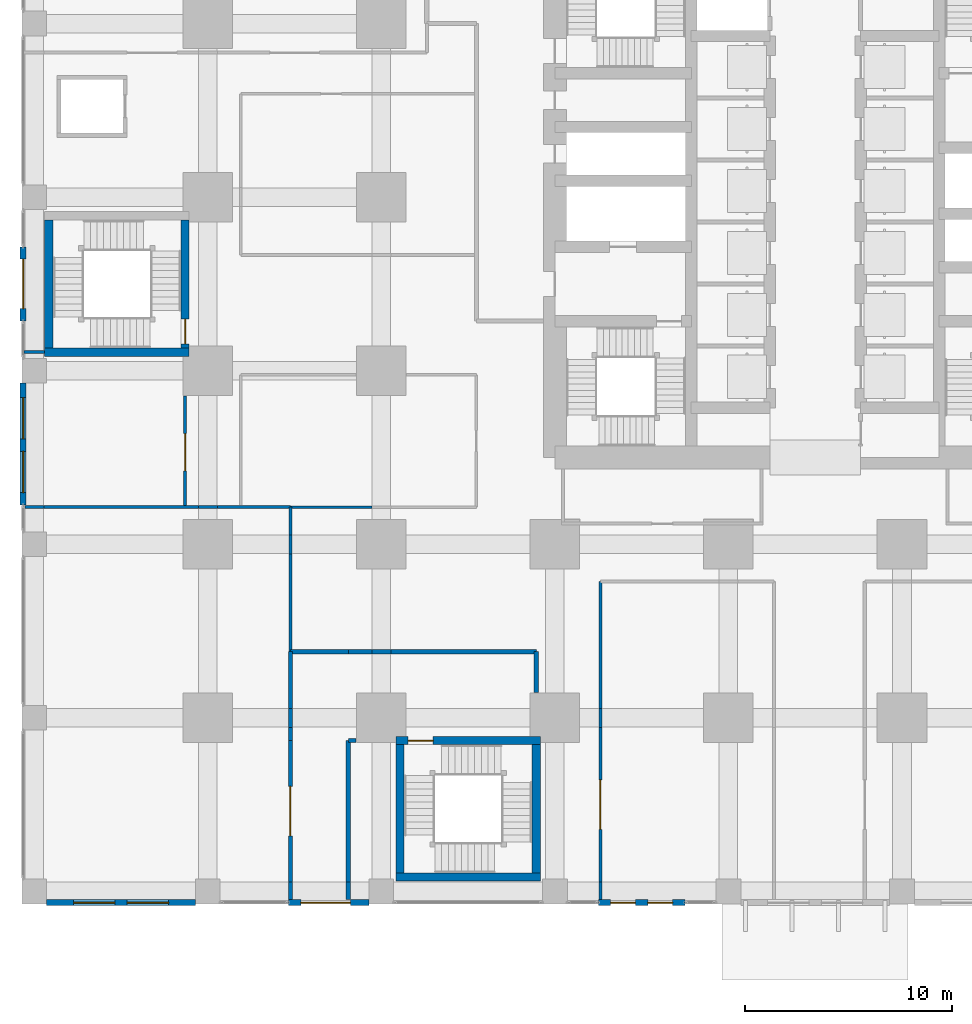
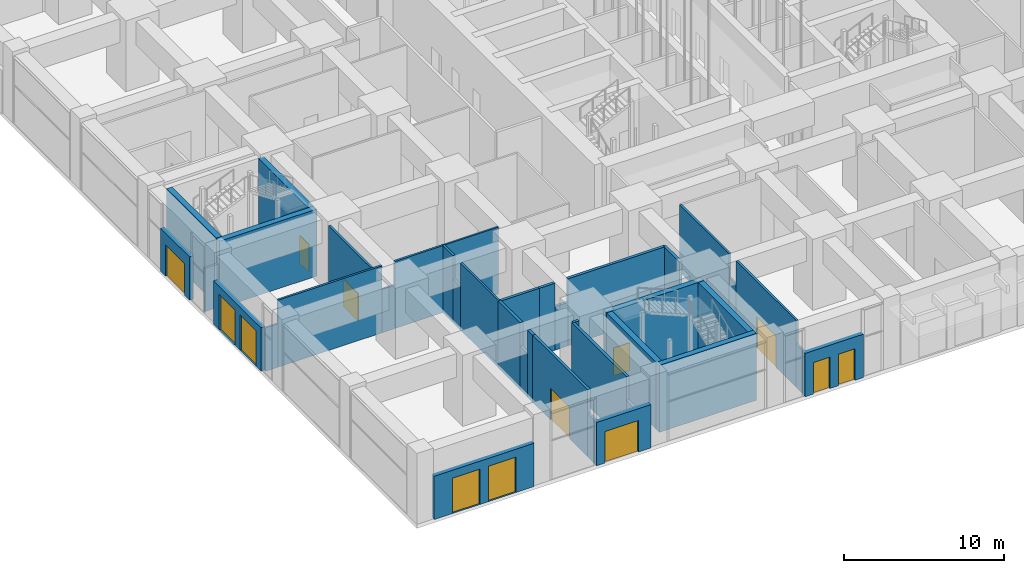
# One storey, part 37 of 81: 39 walls, 13 doors, 13 openings.
"""IFC4 building model written with IfcOpenShell, lengths in metres."""

from ifc_helpers import new_model, si_unit, direction, frame, frame_2d, origin, place, context, subcontext, project, spatial, rectangle, extrude, material, layer, layer_set, type_object, element, fill, save


model = new_model("IFC4")

# Units and contexts
model_context = context("Model", 3, precision=1e-05, world=origin(), true_north=direction((0.0, 1.0)))
body_context = subcontext(model_context, "Body", "Model", "MODEL_VIEW")
ifc_project = project(units=[si_unit("LENGTHUNIT", "METRE"), si_unit("AREAUNIT", "SQUARE_METRE"), si_unit("VOLUMEUNIT", "CUBIC_METRE"), si_unit("PLANEANGLEUNIT", "RADIAN"), si_unit("MASSUNIT", "GRAM", prefix="KILO")], contexts=[model_context])

# Site, building, storey
site_placement = place(None, origin())
site = spatial("IfcSite", under=ifc_project, at=site_placement, CompositionType="ELEMENT")
building_placement = place(site_placement, origin())
building = spatial("IfcBuilding", under=site, at=building_placement, Name="Rekha Terrace Tower", CompositionType="ELEMENT")
storey_placement = place(building_placement, origin())
storey = spatial("IfcBuildingStorey", under=building, at=storey_placement, Name="L00", CompositionType="ELEMENT", Elevation=0.0)

# Wall, openings, doors
ifc_material_1 = material(Name="Concrete M40", Category="concrete")
ifc_layer_1 = layer(ifc_material_1, 0.300048828125)
ifc_layer_set_1 = layer_set([ifc_layer_1], Name="Concrete M40")
wall_type_1 = type_object("IfcWallType", Name="EW2 glazed entrance screen wall 300", PredefinedType="SOLIDWALL", material=ifc_layer_set_1)
wall_1_placement = place(storey_placement, frame((7.799072265625, -0.5400390625, 0.0), z_axis=(0.0, 0.0, 1.0), x_axis=(-1.0, 0.0, 0.0)))
wall_1 = element("IfcWall", 1, at=wall_1_placement, inside=storey, type_object=wall_type_1, Name="Entrance screen wall", PredefinedType="SOLIDWALL", context=body_context, shape_type="SweptSolid", body=[
    extrude(rectangle(XDim=7.197998046875, YDim=0.300048828125, at=frame_2d((3.59912109375, 0.0))), origin(), (0.0, 0.0, 1.0), 3.300048828125),
])
opening_1_placement = place(wall_1_placement, frame((3.89892578125, 0.0, 0.0)))
opening_1 = element("IfcOpeningElement", 2, at=opening_1_placement, cuts=wall_1, Name="Opening ED1", PredefinedType="OPENING", context=body_context, shape_type="SweptSolid", body=[
    extrude(rectangle(XDim=2.0, YDim=2.699951171875, at=frame_2d((1.0, 1.35009765625))), frame((0.0, 0.159912109375, 0.0), z_axis=(0.0, -1.0, 0.0), x_axis=(1.0, 0.0, 0.0)), (0.0, 0.0, 1.0), 0.320068359375),
])
opening_2_placement = place(wall_1_placement, frame((1.299072265625, 0.0, 0.0)))
opening_2 = element("IfcOpeningElement", 3, at=opening_2_placement, cuts=wall_1, Name="Opening ED1", PredefinedType="OPENING", context=body_context, shape_type="SweptSolid", body=[
    extrude(rectangle(XDim=2.0, YDim=2.699951171875, at=frame_2d((1.0, 1.35009765625))), frame((0.0, 0.159912109375, 0.0), z_axis=(0.0, -1.0, 0.0), x_axis=(1.0, 0.0, 0.0)), (0.0, 0.0, 1.0), 0.320068359375),
])
ifc_material_2 = material(Name="Aluminium framed laminated glass door", Category="aluminium")
door_type_1 = type_object("IfcDoorType", Name="ED1 glazed double entrance door 2000 x 2700", OperationType="DOUBLE_DOOR_SINGLE_SWING", PredefinedType="DOOR", material=ifc_material_2)
door_1_placement = place(opening_1_placement, origin())
door_1 = element("IfcDoor", 4, at=door_1_placement, inside=storey, type_object=door_type_1, Name="Entrance door", OperationType="DOUBLE_DOOR_SINGLE_SWING", OverallHeight=2.699951171875, OverallWidth=2.0, PredefinedType="DOOR", context=body_context, shape_type="SweptSolid", body=[
    extrude(rectangle(XDim=2.0, YDim=2.699951171875, at=frame_2d((1.0, 1.35009765625))), frame((0.0, 0.02490234375, 0.0), z_axis=(0.0, -1.0, 0.0), x_axis=(1.0, 0.0, 0.0)), (0.0, 0.0, 1.0), 0.050048828125),
])
fill(opening_1, door_1)
door_2_placement = place(opening_2_placement, origin())
door_2 = element("IfcDoor", 5, at=door_2_placement, inside=storey, type_object=door_type_1, Name="Entrance door", OperationType="DOUBLE_DOOR_SINGLE_SWING", OverallHeight=2.699951171875, OverallWidth=2.0, PredefinedType="DOOR", context=body_context, shape_type="SweptSolid", body=[
    extrude(rectangle(XDim=2.0, YDim=2.699951171875, at=frame_2d((1.0, 1.35009765625))), frame((0.0, 0.02490234375, 0.0), z_axis=(0.0, -1.0, 0.0), x_axis=(1.0, 0.0, 0.0)), (0.0, 0.0, 1.0), 0.050048828125),
])
fill(opening_2, door_2)

# Wall, opening, door
wall_2_placement = place(storey_placement, frame((16.198974609375, -0.5400390625, 0.0), z_axis=(0.0, 0.0, 1.0), x_axis=(-1.0, 0.0, 0.0)))
wall_2 = element("IfcWall", 6, at=wall_2_placement, inside=storey, type_object=wall_type_1, Name="Entrance screen wall", PredefinedType="SOLIDWALL", context=body_context, shape_type="SweptSolid", body=[
    extrude(rectangle(XDim=3.89892578125, YDim=0.300048828125, at=frame_2d((1.949462890625, 0.0))), origin(), (0.0, 0.0, 1.0), 3.300048828125),
])
opening_3_placement = place(wall_2_placement, frame((0.89892578125, 0.0, 0.0)))
opening_3 = element("IfcOpeningElement", 7, at=opening_3_placement, cuts=wall_2, Name="Opening ED2", PredefinedType="OPENING", context=body_context, shape_type="SweptSolid", body=[
    extrude(rectangle(XDim=2.39990234375, YDim=2.39990234375, at=frame_2d((1.199951171875, 1.199951171875))), frame((0.0, 0.159912109375, 0.0), z_axis=(0.0, -1.0, 0.0), x_axis=(1.0, 0.0, 0.0)), (0.0, 0.0, 1.0), 0.320068359375),
])
ifc_material_3 = material(Name="Galvanised steel door", Category="steel")
door_type_2 = type_object("IfcDoorType", Name="ED2 steel double exit door 2400 x 2400", OperationType="DOUBLE_DOOR_SINGLE_SWING", PredefinedType="DOOR", material=ifc_material_3)
door_3_placement = place(opening_3_placement, origin())
door_3 = element("IfcDoor", 8, at=door_3_placement, inside=storey, type_object=door_type_2, Name="Exit discharge door", OperationType="DOUBLE_DOOR_SINGLE_SWING", OverallHeight=2.39990234375, OverallWidth=2.39990234375, PredefinedType="DOOR", context=body_context, shape_type="SweptSolid", body=[
    extrude(rectangle(XDim=2.39990234375, YDim=2.39990234375, at=frame_2d((1.199951171875, 1.199951171875))), frame((0.0, 0.02490234375, 0.0), z_axis=(0.0, -1.0, 0.0), x_axis=(1.0, 0.0, 0.0)), (0.0, 0.0, 1.0), 0.050048828125),
])
fill(opening_3, door_3)

# Wall, openings, doors
wall_3_placement = place(storey_placement, frame((31.5, -0.5400390625, 0.0), z_axis=(0.0, 0.0, 1.0), x_axis=(-1.0, 0.0, 0.0)))
wall_3 = element("IfcWall", 9, at=wall_3_placement, inside=storey, type_object=wall_type_1, Name="Entrance screen wall", PredefinedType="SOLIDWALL", context=body_context, shape_type="SweptSolid", body=[
    extrude(rectangle(XDim=4.199951171875, YDim=0.300048828125, at=frame_2d((2.10009765625, 0.0))), origin(), (0.0, 0.0, 1.0), 3.300048828125),
])
opening_4_placement = place(wall_3_placement, frame((2.39990234375, 0.0, 0.0)))
opening_4 = element("IfcOpeningElement", 10, at=opening_4_placement, cuts=wall_3, Name="Opening ED3", PredefinedType="OPENING", context=body_context, shape_type="SweptSolid", body=[
    extrude(rectangle(XDim=1.199951171875, YDim=2.39990234375, at=frame_2d((0.60009765625, 1.199951171875))), frame((0.0, 0.159912109375, 0.0), z_axis=(0.0, -1.0, 0.0), x_axis=(1.0, 0.0, 0.0)), (0.0, 0.0, 1.0), 0.320068359375),
])
opening_5_placement = place(wall_3_placement, frame((0.60009765625, 0.0, 0.0)))
opening_5 = element("IfcOpeningElement", 11, at=opening_5_placement, cuts=wall_3, Name="Opening ED3", PredefinedType="OPENING", context=body_context, shape_type="SweptSolid", body=[
    extrude(rectangle(XDim=1.199951171875, YDim=2.39990234375, at=frame_2d((0.60009765625, 1.199951171875))), frame((0.0, 0.159912109375, 0.0), z_axis=(0.0, -1.0, 0.0), x_axis=(1.0, 0.0, 0.0)), (0.0, 0.0, 1.0), 0.320068359375),
])
door_type_3 = type_object("IfcDoorType", Name="ED3 steel exit door 1200 x 2400", OperationType="SINGLE_SWING_LEFT", PredefinedType="DOOR", material=ifc_material_3)
door_4_placement = place(opening_4_placement, origin())
door_4 = element("IfcDoor", 12, at=door_4_placement, inside=storey, type_object=door_type_3, Name="Exit door", OperationType="SINGLE_SWING_LEFT", OverallHeight=2.39990234375, OverallWidth=1.199951171875, PredefinedType="DOOR", context=body_context, shape_type="SweptSolid", body=[
    extrude(rectangle(XDim=1.199951171875, YDim=2.39990234375, at=frame_2d((0.60009765625, 1.199951171875))), frame((0.0, 0.02490234375, 0.0), z_axis=(0.0, -1.0, 0.0), x_axis=(1.0, 0.0, 0.0)), (0.0, 0.0, 1.0), 0.050048828125),
])
fill(opening_4, door_4)
door_5_placement = place(opening_5_placement, origin())
door_5 = element("IfcDoor", 13, at=door_5_placement, inside=storey, type_object=door_type_3, Name="Exit door", OperationType="SINGLE_SWING_LEFT", OverallHeight=2.39990234375, OverallWidth=1.199951171875, PredefinedType="DOOR", context=body_context, shape_type="SweptSolid", body=[
    extrude(rectangle(XDim=1.199951171875, YDim=2.39990234375, at=frame_2d((0.60009765625, 1.199951171875))), frame((0.0, 0.02490234375, 0.0), z_axis=(0.0, -1.0, 0.0), x_axis=(1.0, 0.0, 0.0)), (0.0, 0.0, 1.0), 0.050048828125),
])
fill(opening_5, door_5)

# Wall, opening, door
wall_4_placement = place(storey_placement, frame((-0.5400390625, 27.60009765625, 0.0), z_axis=(0.0, 0.0, 1.0), x_axis=(0.0, 1.0, 0.0)))
wall_4 = element("IfcWall", 14, at=wall_4_placement, inside=storey, type_object=wall_type_1, Name="Entrance screen wall", PredefinedType="SOLIDWALL", context=body_context, shape_type="SweptSolid", body=[
    extrude(rectangle(XDim=3.599853515625, YDim=0.300048828125, at=frame_2d((1.7998046875, 0.0))), origin(), (0.0, 0.0, 1.0), 3.300048828125),
])
opening_6_placement = place(wall_4_placement, frame((0.60009765625, 0.0, 0.0)))
opening_6 = element("IfcOpeningElement", 15, at=opening_6_placement, cuts=wall_4, Name="Opening ED2", PredefinedType="OPENING", context=body_context, shape_type="SweptSolid", body=[
    extrude(rectangle(XDim=2.39990234375, YDim=2.39990234375, at=frame_2d((1.199951171875, 1.199951171875))), frame((0.0, 0.159912109375, 0.0), z_axis=(0.0, -1.0, 0.0), x_axis=(1.0, 0.0, 0.0)), (0.0, 0.0, 1.0), 0.320068359375),
])
door_6_placement = place(opening_6_placement, origin())
door_6 = element("IfcDoor", 16, at=door_6_placement, inside=storey, type_object=door_type_2, Name="Exit discharge door", OperationType="DOUBLE_DOOR_SINGLE_SWING", OverallHeight=2.39990234375, OverallWidth=2.39990234375, PredefinedType="DOOR", context=body_context, shape_type="SweptSolid", body=[
    extrude(rectangle(XDim=2.39990234375, YDim=2.39990234375, at=frame_2d((1.199951171875, 1.199951171875))), frame((0.0, 0.02490234375, 0.0), z_axis=(0.0, -1.0, 0.0), x_axis=(1.0, 0.0, 0.0)), (0.0, 0.0, 1.0), 0.050048828125),
])
fill(opening_6, door_6)

# Wall, openings, doors
wall_5_placement = place(storey_placement, frame((-0.5400390625, 18.699951171875, 0.0), z_axis=(0.0, 0.0, 1.0), x_axis=(0.0, 1.0, 0.0)))
wall_5 = element("IfcWall", 17, at=wall_5_placement, inside=storey, type_object=wall_type_1, Name="Entrance screen wall", PredefinedType="SOLIDWALL", context=body_context, shape_type="SweptSolid", body=[
    extrude(rectangle(XDim=5.899169921875, YDim=0.300048828125, at=frame_2d((2.94970703125, 0.0))), origin(), (0.0, 0.0, 1.0), 3.300048828125),
])
opening_7_placement = place(wall_5_placement, frame((3.199951171875, 0.0, 0.0)))
opening_7 = element("IfcOpeningElement", 18, at=opening_7_placement, cuts=wall_5, Name="Opening ED1", PredefinedType="OPENING", context=body_context, shape_type="SweptSolid", body=[
    extrude(rectangle(XDim=2.0, YDim=2.699951171875, at=frame_2d((1.0, 1.35009765625))), frame((0.0, 0.159912109375, 0.0), z_axis=(0.0, -1.0, 0.0), x_axis=(1.0, 0.0, 0.0)), (0.0, 0.0, 1.0), 0.320068359375),
])
opening_8_placement = place(wall_5_placement, frame((0.60009765625, 0.0, 0.0)))
opening_8 = element("IfcOpeningElement", 19, at=opening_8_placement, cuts=wall_5, Name="Opening ED1", PredefinedType="OPENING", context=body_context, shape_type="SweptSolid", body=[
    extrude(rectangle(XDim=2.0, YDim=2.699951171875, at=frame_2d((1.0, 1.35009765625))), frame((0.0, 0.159912109375, 0.0), z_axis=(0.0, -1.0, 0.0), x_axis=(1.0, 0.0, 0.0)), (0.0, 0.0, 1.0), 0.320068359375),
])
door_7_placement = place(opening_7_placement, origin())
door_7 = element("IfcDoor", 20, at=door_7_placement, inside=storey, type_object=door_type_1, Name="Entrance door", OperationType="DOUBLE_DOOR_SINGLE_SWING", OverallHeight=2.699951171875, OverallWidth=2.0, PredefinedType="DOOR", context=body_context, shape_type="SweptSolid", body=[
    extrude(rectangle(XDim=2.0, YDim=2.699951171875, at=frame_2d((1.0, 1.35009765625))), frame((0.0, 0.02490234375, 0.0), z_axis=(0.0, -1.0, 0.0), x_axis=(1.0, 0.0, 0.0)), (0.0, 0.0, 1.0), 0.050048828125),
])
fill(opening_7, door_7)
door_8_placement = place(opening_8_placement, origin())
door_8 = element("IfcDoor", 21, at=door_8_placement, inside=storey, type_object=door_type_1, Name="Entrance door", OperationType="DOUBLE_DOOR_SINGLE_SWING", OverallHeight=2.699951171875, OverallWidth=2.0, PredefinedType="DOOR", context=body_context, shape_type="SweptSolid", body=[
    extrude(rectangle(XDim=2.0, YDim=2.699951171875, at=frame_2d((1.0, 1.35009765625))), frame((0.0, 0.02490234375, 0.0), z_axis=(0.0, -1.0, 0.0), x_axis=(1.0, 0.0, 0.0)), (0.0, 0.0, 1.0), 0.050048828125),
])
fill(opening_8, door_8)

# Walls
ifc_material_4 = material(Name="Concrete block masonry, 1 hour", Category="masonry")
ifc_layer_2 = layer(ifc_material_4, 0.14990234375)
ifc_layer_set_2 = layer_set([ifc_layer_2], Name="Concrete block masonry, 1 hour")
wall_type_2 = type_object("IfcWallType", Name="WP2 150 tenancy partition", PredefinedType="PARTITIONING", material=ifc_layer_set_2)
wall_6_placement = place(storey_placement, frame((-0.449951171875, 18.60009765625, 0.0), z_axis=(0.0, 0.0, 1.0), x_axis=(1.0, 0.0, 0.0)))
element("IfcWall", 22, at=wall_6_placement, inside=storey, type_object=wall_type_2, Name="Partition L00-06", PredefinedType="PARTITIONING", context=body_context, shape_type="SweptSolid", body=[
    extrude(rectangle(XDim=0.909912109375, YDim=0.14990234375, at=frame_2d((0.455078125, 0.0))), origin(), (0.0, 0.0, 1.0), 3.300048828125),
])
wall_7_placement = place(storey_placement, frame((0.4599609375, 18.60009765625, 0.0), z_axis=(0.0, 0.0, 1.0), x_axis=(1.0, 0.0, 0.0)))
element("IfcWall", 23, at=wall_7_placement, inside=storey, type_object=wall_type_2, Name="Partition L00-06", PredefinedType="PARTITIONING", context=body_context, shape_type="SweptSolid", body=[
    extrude(rectangle(XDim=7.47998046875, YDim=0.14990234375, at=frame_2d((3.739990234375, 0.0))), origin(), (0.0, 0.0, 1.0), 5.10009765625),
])
wall_8_placement = place(storey_placement, frame((7.93994140625, 18.60009765625, 0.0), z_axis=(0.0, 0.0, 1.0), x_axis=(1.0, 0.0, 0.0)))
element("IfcWall", 24, at=wall_8_placement, inside=storey, type_object=wall_type_2, Name="Partition L00-06", PredefinedType="PARTITIONING", context=body_context, shape_type="SweptSolid", body=[
    extrude(rectangle(XDim=0.920166015625, YDim=0.14990234375, at=frame_2d((0.4599609375, 0.0))), origin(), (0.0, 0.0, 1.0), 3.300048828125),
])
wall_9_placement = place(storey_placement, frame((8.860107421875, 18.60009765625, 0.0), z_axis=(0.0, 0.0, 1.0), x_axis=(1.0, 0.0, 0.0)))
element("IfcWall", 25, at=wall_9_placement, inside=storey, type_object=wall_type_2, Name="Partition L00-06", PredefinedType="PARTITIONING", context=body_context, shape_type="SweptSolid", body=[
    extrude(rectangle(XDim=3.539794921875, YDim=0.14990234375, at=frame_2d((1.77001953125, 0.0))), origin(), (0.0, 0.0, 1.0), 5.10009765625),
])
wall_10_placement = place(storey_placement, frame((12.39990234375, 18.60009765625, 0.0), z_axis=(0.0, 0.0, 1.0), x_axis=(0.0, -1.0, 0.0)))
element("IfcWall", 26, at=wall_10_placement, inside=storey, type_object=wall_type_2, Name="Partition L00-06", PredefinedType="PARTITIONING", context=body_context, shape_type="SweptSolid", body=[
    extrude(rectangle(XDim=1.340087890625, YDim=0.14990234375, at=frame_2d((0.669921875, 0.0))), origin(), (0.0, 0.0, 1.0), 5.10009765625),
])
wall_11_placement = place(storey_placement, frame((12.39990234375, 17.260009765625, 0.0), z_axis=(0.0, 0.0, 1.0), x_axis=(0.0, -1.0, 0.0)))
element("IfcWall", 27, at=wall_11_placement, inside=storey, type_object=wall_type_2, Name="Partition L00-06", PredefinedType="PARTITIONING", context=body_context, shape_type="SweptSolid", body=[
    extrude(rectangle(XDim=0.919921875, YDim=0.14990234375, at=frame_2d((0.4599609375, 0.0))), origin(), (0.0, 0.0, 1.0), 3.300048828125),
])
wall_12_placement = place(storey_placement, frame((12.39990234375, 16.340087890625, 0.0), z_axis=(0.0, 0.0, 1.0), x_axis=(0.0, -1.0, 0.0)))
element("IfcWall", 28, at=wall_12_placement, inside=storey, type_object=wall_type_2, Name="Partition L00-06", PredefinedType="PARTITIONING", context=body_context, shape_type="SweptSolid", body=[
    extrude(rectangle(XDim=4.739990234375, YDim=0.14990234375, at=frame_2d((2.3701171875, 0.0))), origin(), (0.0, 0.0, 1.0), 5.10009765625),
])
wall_13_placement = place(storey_placement, frame((27.39990234375, -0.389892578125, 0.0), z_axis=(0.0, 0.0, 1.0), x_axis=(0.0, 1.0, 0.0)))
element("IfcWall", 29, at=wall_13_placement, inside=storey, type_object=wall_type_2, Name="Partition L00-12", PredefinedType="PARTITIONING", context=body_context, shape_type="SweptSolid", body=[
    extrude(rectangle(XDim=0.849853515625, YDim=0.14990234375, at=frame_2d((0.4248046875, 0.0))), origin(), (0.0, 0.0, 1.0), 3.300048828125),
])

# Wall, opening, door
wall_14_placement = place(storey_placement, frame((27.39990234375, 0.4599609375, 0.0), z_axis=(0.0, 0.0, 1.0), x_axis=(0.0, 1.0, 0.0)))
wall_14 = element("IfcWall", 30, at=wall_14_placement, inside=storey, type_object=wall_type_2, Name="Partition L00-12", PredefinedType="PARTITIONING", context=body_context, shape_type="SweptSolid", body=[
    extrude(rectangle(XDim=7.47998046875, YDim=0.14990234375, at=frame_2d((3.739990234375, 0.0))), origin(), (0.0, 0.0, 1.0), 5.10009765625),
])
opening_9_placement = place(wall_14_placement, frame((2.5400390625, 0.0, 0.0)))
opening_9 = element("IfcOpeningElement", 31, at=opening_9_placement, cuts=wall_14, Name="Opening D7", PredefinedType="OPENING", context=body_context, shape_type="SweptSolid", body=[
    extrude(rectangle(XDim=2.39990234375, YDim=2.39990234375, at=frame_2d((1.199951171875, 1.199951171875))), frame((0.0, 0.0849609375, 0.0), z_axis=(0.0, -1.0, 0.0), x_axis=(1.0, 0.0, 0.0)), (0.0, 0.0, 1.0), 0.169921875),
])
ifc_material_5 = material(Name="Glazed aluminium door", Category="aluminium")
door_type_4 = type_object("IfcDoorType", Name="D7 2400x2400 shopfront double door", OperationType="DOUBLE_DOOR_SINGLE_SWING", PredefinedType="DOOR", material=ifc_material_5)
door_9_placement = place(opening_9_placement, origin())
door_9 = element("IfcDoor", 32, at=door_9_placement, inside=storey, type_object=door_type_4, Name="Door retail unit 18 L00", OperationType="DOUBLE_DOOR_SINGLE_SWING", OverallHeight=2.39990234375, OverallWidth=2.39990234375, PredefinedType="DOOR", context=body_context, shape_type="SweptSolid", body=[
    extrude(rectangle(XDim=2.39990234375, YDim=2.39990234375, at=frame_2d((1.199951171875, 1.199951171875))), frame((0.0, 0.02490234375, 0.0), z_axis=(0.0, -1.0, 0.0), x_axis=(1.0, 0.0, 0.0)), (0.0, 0.0, 1.0), 0.050048828125),
])
fill(opening_9, door_9)

# Walls
wall_15_placement = place(storey_placement, frame((27.39990234375, 7.93994140625, 0.0), z_axis=(0.0, 0.0, 1.0), x_axis=(0.0, 1.0, 0.0)))
element("IfcWall", 33, at=wall_15_placement, inside=storey, type_object=wall_type_2, Name="Partition L00-12", PredefinedType="PARTITIONING", context=body_context, shape_type="SweptSolid", body=[
    extrude(rectangle(XDim=0.920166015625, YDim=0.14990234375, at=frame_2d((0.4599609375, 0.0))), origin(), (0.0, 0.0, 1.0), 3.300048828125),
])
wall_16_placement = place(storey_placement, frame((27.39990234375, 8.860107421875, 0.0), z_axis=(0.0, 0.0, 1.0), x_axis=(0.0, 1.0, 0.0)))
element("IfcWall", 34, at=wall_16_placement, inside=storey, type_object=wall_type_2, Name="Partition L00-12", PredefinedType="PARTITIONING", context=body_context, shape_type="SweptSolid", body=[
    extrude(rectangle(XDim=6.139892578125, YDim=0.14990234375, at=frame_2d((3.06982421875, 0.0))), origin(), (0.0, 0.0, 1.0), 5.10009765625),
])
wall_17_placement = place(storey_placement, frame((-0.489990234375, 26.10009765625, 0.0), z_axis=(0.0, 0.0, 1.0), x_axis=(1.0, 0.0, 0.0)))
element("IfcWall", 35, at=wall_17_placement, inside=storey, type_object=wall_type_2, Name="Partition L00-17", PredefinedType="PARTITIONING", context=body_context, shape_type="SweptSolid", body=[
    extrude(rectangle(XDim=0.989990234375, YDim=0.14990234375, at=frame_2d((0.4951171875, 0.0))), origin(), (0.0, 0.0, 1.0), 3.300048828125),
])

# Wall, opening, door
wall_18_placement = place(storey_placement, frame((7.300048828125, 23.97998046875, 0.0), z_axis=(0.0, 0.0, 1.0), x_axis=(0.0, -1.0, 0.0)))
wall_18 = element("IfcWall", 36, at=wall_18_placement, inside=storey, type_object=wall_type_2, Name="Partition L00-17", PredefinedType="PARTITIONING", context=body_context, shape_type="SweptSolid", body=[
    extrude(rectangle(XDim=5.304931640625, YDim=0.14990234375, at=frame_2d((2.65234375, 0.0))), origin(), (0.0, 0.0, 1.0), 5.10009765625),
])
opening_10_placement = place(wall_18_placement, frame((1.824951171875, 0.0, 0.0)))
opening_10 = element("IfcOpeningElement", 37, at=opening_10_placement, cuts=wall_18, Name="Opening D8", PredefinedType="OPENING", context=body_context, shape_type="SweptSolid", body=[
    extrude(rectangle(XDim=1.800048828125, YDim=2.10009765625, at=frame_2d((0.89990234375, 1.050048828125))), frame((0.0, 0.0849609375, 0.0), z_axis=(0.0, -1.0, 0.0), x_axis=(1.0, 0.0, 0.0)), (0.0, 0.0, 1.0), 0.169921875),
])
ifc_material_6 = material(Name="Timber fire door", Category="wood")
door_type_5 = type_object("IfcDoorType", Name="D8 1800x2100 double leaf door", OperationType="DOUBLE_DOOR_SINGLE_SWING", PredefinedType="DOOR", material=ifc_material_6)
door_10_placement = place(opening_10_placement, origin())
door_10 = element("IfcDoor", 38, at=door_10_placement, inside=storey, type_object=door_type_5, Name="Door metro staff room L00", OperationType="DOUBLE_DOOR_SINGLE_SWING", OverallHeight=2.10009765625, OverallWidth=1.800048828125, PredefinedType="DOOR", context=body_context, shape_type="SweptSolid", body=[
    extrude(rectangle(XDim=1.800048828125, YDim=2.10009765625, at=frame_2d((0.89990234375, 1.050048828125))), frame((0.0, 0.02490234375, 0.0), z_axis=(0.0, -1.0, 0.0), x_axis=(1.0, 0.0, 0.0)), (0.0, 0.0, 1.0), 0.050048828125),
])
fill(opening_10, door_10)

# Walls
ifc_material_7 = material(Name="Two layers of fire-rated gypsum board each side on steel studs, acoustic quilt, 1 hour", Category="steel")
ifc_layer_3 = layer(ifc_material_7, 0.125)
ifc_layer_set_3 = layer_set([ifc_layer_3], Name="Two layers of fire-rated gypsum board each side on steel studs, acoustic quilt, 1 hour")
wall_type_3 = type_object("IfcWallType", Name="WP3 125 office partition", PredefinedType="PARTITIONING", material=ifc_layer_set_3)
wall_19_placement = place(storey_placement, frame((16.340087890625, 18.60009765625, 0.0), z_axis=(0.0, 0.0, 1.0), x_axis=(-1.0, 0.0, 0.0)))
element("IfcWall", 39, at=wall_19_placement, inside=storey, type_object=wall_type_3, Name="Partition L00-08", PredefinedType="PARTITIONING", context=body_context, shape_type="SweptSolid", body=[
    extrude(rectangle(XDim=3.940185546875, YDim=0.125, at=frame_2d((1.97021484375, 0.0))), origin(), (0.0, 0.0, 1.0), 5.10009765625),
])
ifc_material_8 = material(Name="Solid concrete block masonry, 2 hour", Category="masonry")
ifc_layer_4 = layer(ifc_material_8, 0.199951171875)
ifc_layer_set_4 = layer_set([ifc_layer_4], Name="Solid concrete block masonry, 2 hour")
wall_type_4 = type_object("IfcWallType", Name="WS1 200 stair and shaft enclosure", PredefinedType="PARTITIONING", material=ifc_layer_set_4)
wall_20_placement = place(storey_placement, frame((12.39990234375, 7.300048828125, 0.0), z_axis=(0.0, 0.0, 1.0), x_axis=(0.0, 1.0, 0.0)))
element("IfcWall", 40, at=wall_20_placement, inside=storey, type_object=wall_type_4, Name="Partition L00-EP3", PredefinedType="PARTITIONING", context=body_context, shape_type="SweptSolid", body=[
    extrude(rectangle(XDim=0.639892578125, YDim=0.199951171875, at=frame_2d((0.31982421875, 0.0))), origin(), (0.0, 0.0, 1.0), 5.10009765625),
])
wall_21_placement = place(storey_placement, frame((12.39990234375, 7.93994140625, 0.0), z_axis=(0.0, 0.0, 1.0), x_axis=(0.0, 1.0, 0.0)))
element("IfcWall", 41, at=wall_21_placement, inside=storey, type_object=wall_type_4, Name="Partition L00-EP3", PredefinedType="PARTITIONING", context=body_context, shape_type="SweptSolid", body=[
    extrude(rectangle(XDim=0.920166015625, YDim=0.199951171875, at=frame_2d((0.4599609375, 0.0))), origin(), (0.0, 0.0, 1.0), 3.300048828125),
])
wall_22_placement = place(storey_placement, frame((12.39990234375, 8.860107421875, 0.0), z_axis=(0.0, 0.0, 1.0), x_axis=(0.0, 1.0, 0.0)))
element("IfcWall", 42, at=wall_22_placement, inside=storey, type_object=wall_type_4, Name="Partition L00-EP3", PredefinedType="PARTITIONING", context=body_context, shape_type="SweptSolid", body=[
    extrude(rectangle(XDim=2.739990234375, YDim=0.199951171875, at=frame_2d((1.3701171875, 0.0))), origin(), (0.0, 0.0, 1.0), 5.10009765625),
])
wall_23_placement = place(storey_placement, frame((12.39990234375, 11.60009765625, 0.0), z_axis=(0.0, 0.0, 1.0), x_axis=(1.0, 0.0, 0.0)))
element("IfcWall", 43, at=wall_23_placement, inside=storey, type_object=wall_type_4, Name="Partition L00-EP3", PredefinedType="PARTITIONING", context=body_context, shape_type="SweptSolid", body=[
    extrude(rectangle(XDim=2.800048828125, YDim=0.199951171875, at=frame_2d((1.39990234375, 0.0))), origin(), (0.0, 0.0, 1.0), 5.10009765625),
])
wall_24_placement = place(storey_placement, frame((15.199951171875, 11.60009765625, 0.0), z_axis=(0.0, 0.0, 1.0), x_axis=(1.0, 0.0, 0.0)))
element("IfcWall", 44, at=wall_24_placement, inside=storey, type_object=wall_type_4, Name="Partition L00-EP3", PredefinedType="PARTITIONING", context=body_context, shape_type="SweptSolid", body=[
    extrude(rectangle(XDim=1.14013671875, YDim=0.199951171875, at=frame_2d((0.570068359375, 0.0))), origin(), (0.0, 0.0, 1.0), 5.10009765625),
])
wall_25_placement = place(storey_placement, frame((16.340087890625, 11.60009765625, 0.0), z_axis=(0.0, 0.0, 1.0), x_axis=(1.0, 0.0, 0.0)))
element("IfcWall", 45, at=wall_25_placement, inside=storey, type_object=wall_type_4, Name="Partition L00-EP3", PredefinedType="PARTITIONING", context=body_context, shape_type="SweptSolid", body=[
    extrude(rectangle(XDim=0.919921875, YDim=0.199951171875, at=frame_2d((0.4599609375, 0.0))), origin(), (0.0, 0.0, 1.0), 3.300048828125),
])
wall_26_placement = place(storey_placement, frame((17.260009765625, 11.60009765625, 0.0), z_axis=(0.0, 0.0, 1.0), x_axis=(1.0, 0.0, 0.0)))
element("IfcWall", 46, at=wall_26_placement, inside=storey, type_object=wall_type_4, Name="Partition L00-EP3", PredefinedType="PARTITIONING", context=body_context, shape_type="SweptSolid", body=[
    extrude(rectangle(XDim=7.0400390625, YDim=0.199951171875, at=frame_2d((3.52001953125, 0.0))), origin(), (0.0, 0.0, 1.0), 5.10009765625),
])
wall_27_placement = place(storey_placement, frame((24.300048828125, 11.60009765625, 0.0), z_axis=(0.0, 0.0, 1.0), x_axis=(0.0, -1.0, 0.0)))
element("IfcWall", 47, at=wall_27_placement, inside=storey, type_object=wall_type_4, Name="Partition L00-EP3", PredefinedType="PARTITIONING", context=body_context, shape_type="SweptSolid", body=[
    extrude(rectangle(XDim=1.97998046875, YDim=0.199951171875, at=frame_2d((0.989990234375, 0.0))), origin(), (0.0, 0.0, 1.0), 5.10009765625),
])
wall_28_placement = place(storey_placement, frame((15.580078125, 7.300048828125, 0.0), z_axis=(0.0, 0.0, 1.0), x_axis=(-1.0, 0.0, 0.0)))
element("IfcWall", 48, at=wall_28_placement, inside=storey, type_object=wall_type_4, Name="Partition L00-EP3", PredefinedType="PARTITIONING", context=body_context, shape_type="SweptSolid", body=[
    extrude(rectangle(XDim=0.380126953125, YDim=0.199951171875, at=frame_2d((0.18994140625, 0.0))), origin(), (0.0, 0.0, 1.0), 5.10009765625),
])
wall_29_placement = place(storey_placement, frame((15.199951171875, 7.300048828125, 0.0), z_axis=(0.0, 0.0, 1.0), x_axis=(0.0, -1.0, 0.0)))
element("IfcWall", 49, at=wall_29_placement, inside=storey, type_object=wall_type_4, Name="Partition L00-EP3", PredefinedType="PARTITIONING", context=body_context, shape_type="SweptSolid", body=[
    extrude(rectangle(XDim=6.840087890625, YDim=0.199951171875, at=frame_2d((3.419921875, 0.0))), origin(), (0.0, 0.0, 1.0), 5.10009765625),
])
for number, where, z_axis, x_axis, name in (
    (50, (15.199951171875, 0.4599609375, 0.0), (0.0, 0.0, 1.0), (0.0, -1.0, 0.0), "Partition L00-EP3"),
    (51, (12.39990234375, -0.389892578125, 0.0), (0.0, 0.0, 1.0), (0.0, 1.0, 0.0), "Partition L00-EP3"),
):
    element("IfcWall", number, at=place(storey_placement, frame(where, z_axis=z_axis, x_axis=x_axis)), inside=storey, type_object=wall_type_4, Name=name, PredefinedType="PARTITIONING", context=body_context, shape_type="SweptSolid", body=[
        extrude(rectangle(XDim=0.849853515625, YDim=0.199951171875, at=frame_2d((0.4248046875, 0.0))), origin(), (0.0, 0.0, 1.0), 3.300048828125),
    ])

# Wall, opening, door
wall_30_placement = place(storey_placement, frame((12.39990234375, 0.4599609375, 0.0), z_axis=(0.0, 0.0, 1.0), x_axis=(0.0, 1.0, 0.0)))
wall_30 = element("IfcWall", 52, at=wall_30_placement, inside=storey, type_object=wall_type_4, Name="Partition L00-EP3", PredefinedType="PARTITIONING", context=body_context, shape_type="SweptSolid", body=[
    extrude(rectangle(XDim=6.840087890625, YDim=0.199951171875, at=frame_2d((3.419921875, 0.0))), origin(), (0.0, 0.0, 1.0), 5.10009765625),
])
opening_11_placement = place(wall_30_placement, frame((2.219970703125, 0.0, 0.0)))
opening_11 = element("IfcOpeningElement", 53, at=opening_11_placement, cuts=wall_30, Name="Opening D7", PredefinedType="OPENING", context=body_context, shape_type="SweptSolid", body=[
    extrude(rectangle(XDim=2.39990234375, YDim=2.39990234375, at=frame_2d((1.199951171875, 1.199951171875))), frame((0.0, 0.10986328125, 0.0), z_axis=(0.0, -1.0, 0.0), x_axis=(1.0, 0.0, 0.0)), (0.0, 0.0, 1.0), 0.219970703125),
])
door_11_placement = place(opening_11_placement, origin())
door_11 = element("IfcDoor", 54, at=door_11_placement, inside=storey, type_object=door_type_4, Name="Door retail unit 3 L00", OperationType="DOUBLE_DOOR_SINGLE_SWING", OverallHeight=2.39990234375, OverallWidth=2.39990234375, PredefinedType="DOOR", context=body_context, shape_type="SweptSolid", body=[
    extrude(rectangle(XDim=2.39990234375, YDim=2.39990234375, at=frame_2d((1.199951171875, 1.199951171875))), frame((0.0, 0.02490234375, 0.0), z_axis=(0.0, -1.0, 0.0), x_axis=(1.0, 0.0, 0.0)), (0.0, 0.0, 1.0), 0.050048828125),
])
fill(opening_11, door_11)

# Walls
ifc_material_9 = material(Name="Concrete M60", Category="concrete")
ifc_layer_5 = layer(ifc_material_9, 0.39990234375)
ifc_layer_set_5 = layer_set([ifc_layer_5], Name="Concrete M60")
wall_type_5 = type_object("IfcWallType", Name="WS3 400 RC podium stair wall", PredefinedType="SOLIDWALL", material=ifc_layer_set_5)
wall_31_placement = place(storey_placement, frame((0.5, 26.10009765625, 0.0), z_axis=(0.0, 0.0, 1.0), x_axis=(1.0, 0.0, 0.0)))
element("IfcWall", 55, at=wall_31_placement, inside=storey, type_object=wall_type_5, Name="Stair SP1 south wall", PredefinedType="SOLIDWALL", context=body_context, shape_type="SweptSolid", body=[
    extrude(rectangle(XDim=7.0, YDim=0.39990234375, at=frame_2d((3.5, 0.0))), origin(), (0.0, 0.0, 1.0), 5.10009765625),
])
wall_32_placement = place(storey_placement, frame((0.699951171875, 26.300048828125, 0.0), z_axis=(0.0, 0.0, 1.0), x_axis=(0.0, 1.0, 0.0)))
element("IfcWall", 56, at=wall_32_placement, inside=storey, type_object=wall_type_5, Name="Stair SP1 west wall", PredefinedType="SOLIDWALL", context=body_context, shape_type="SweptSolid", body=[
    extrude(rectangle(XDim=6.199951171875, YDim=0.39990234375, at=frame_2d((3.10009765625, 0.0))), origin(), (0.0, 0.0, 1.0), 5.10009765625),
])

# Wall, opening, door
wall_33_placement = place(storey_placement, frame((7.300048828125, 26.300048828125, 0.0), z_axis=(0.0, 0.0, 1.0), x_axis=(0.0, 1.0, 0.0)))
wall_33 = element("IfcWall", 57, at=wall_33_placement, inside=storey, type_object=wall_type_5, Name="Stair SP1 east wall", PredefinedType="SOLIDWALL", context=body_context, shape_type="SweptSolid", body=[
    extrude(rectangle(XDim=6.199951171875, YDim=0.39990234375, at=frame_2d((3.10009765625, 0.0))), origin(), (0.0, 0.0, 1.0), 5.10009765625),
])
opening_12_placement = place(wall_33_placement, frame((0.199951171875, 0.0, 0.0)))
opening_12 = element("IfcOpeningElement", 58, at=opening_12_placement, cuts=wall_33, Name="Opening D1", PredefinedType="OPENING", context=body_context, shape_type="SweptSolid", body=[
    extrude(rectangle(XDim=1.199951171875, YDim=2.10009765625, at=frame_2d((0.60009765625, 1.050048828125))), frame((0.0, 0.2099609375, 0.0), z_axis=(0.0, -1.0, 0.0), x_axis=(1.0, 0.0, 0.0)), (0.0, 0.0, 1.0), 0.419921875),
])
ifc_material_10 = material(Name="Steel fire door", Category="steel")
door_type_6 = type_object("IfcDoorType", Name="D1 1200x2100 stair fire door", OperationType="SINGLE_SWING_RIGHT", PredefinedType="DOOR", material=ifc_material_10)
door_12_placement = place(opening_12_placement, origin())
door_12 = element("IfcDoor", 59, at=door_12_placement, inside=storey, type_object=door_type_6, Name="Stair SP1 door L00", OperationType="SINGLE_SWING_RIGHT", OverallHeight=2.10009765625, OverallWidth=1.199951171875, PredefinedType="DOOR", context=body_context, shape_type="SweptSolid", body=[
    extrude(rectangle(XDim=1.199951171875, YDim=2.10009765625, at=frame_2d((0.60009765625, 1.050048828125))), frame((0.0, 0.02490234375, 0.0), z_axis=(0.0, -1.0, 0.0), x_axis=(1.0, 0.0, 0.0)), (0.0, 0.0, 1.0), 0.050048828125),
])
fill(opening_12, door_12)

# Wall
wall_34_placement = place(storey_placement, frame((17.5, 0.699951171875, 0.0), z_axis=(0.0, 0.0, 1.0), x_axis=(1.0, 0.0, 0.0)))
element("IfcWall", 60, at=wall_34_placement, inside=storey, type_object=wall_type_5, Name="Stair SP3 south wall", PredefinedType="SOLIDWALL", context=body_context, shape_type="SweptSolid", body=[
    extrude(rectangle(XDim=7.0, YDim=0.39990234375, at=frame_2d((3.5, 0.0))), origin(), (0.0, 0.0, 1.0), 5.10009765625),
])

# Wall, opening, door
wall_35_placement = place(storey_placement, frame((17.5, 7.300048828125, 0.0), z_axis=(0.0, 0.0, 1.0), x_axis=(1.0, 0.0, 0.0)))
wall_35 = element("IfcWall", 61, at=wall_35_placement, inside=storey, type_object=wall_type_5, Name="Stair SP3 north wall", PredefinedType="SOLIDWALL", context=body_context, shape_type="SweptSolid", body=[
    extrude(rectangle(XDim=7.0, YDim=0.39990234375, at=frame_2d((3.5, 0.0))), origin(), (0.0, 0.0, 1.0), 5.10009765625),
])
opening_13_placement = place(wall_35_placement, frame((0.60009765625, 0.0, 0.0)))
opening_13 = element("IfcOpeningElement", 62, at=opening_13_placement, cuts=wall_35, Name="Opening D1", PredefinedType="OPENING", context=body_context, shape_type="SweptSolid", body=[
    extrude(rectangle(XDim=1.199951171875, YDim=2.10009765625, at=frame_2d((0.60009765625, 1.050048828125))), frame((0.0, 0.2099609375, 0.0), z_axis=(0.0, -1.0, 0.0), x_axis=(1.0, 0.0, 0.0)), (0.0, 0.0, 1.0), 0.419921875),
])
door_13_placement = place(opening_13_placement, origin())
door_13 = element("IfcDoor", 63, at=door_13_placement, inside=storey, type_object=door_type_6, Name="Stair SP3 door L00", OperationType="SINGLE_SWING_RIGHT", OverallHeight=2.10009765625, OverallWidth=1.199951171875, PredefinedType="DOOR", context=body_context, shape_type="SweptSolid", body=[
    extrude(rectangle(XDim=1.199951171875, YDim=2.10009765625, at=frame_2d((0.60009765625, 1.050048828125))), frame((0.0, 0.02490234375, 0.0), z_axis=(0.0, -1.0, 0.0), x_axis=(1.0, 0.0, 0.0)), (0.0, 0.0, 1.0), 0.050048828125),
])
fill(opening_13, door_13)

# Walls
for number, where, z_axis, x_axis, name in (
    (64, (17.699951171875, 0.89990234375, 0.0), (0.0, 0.0, 1.0), (0.0, 1.0, 0.0), "Stair SP3 west wall"),
    (65, (24.300048828125, 0.89990234375, 0.0), (0.0, 0.0, 1.0), (0.0, 1.0, 0.0), "Stair SP3 east wall"),
):
    element("IfcWall", number, at=place(storey_placement, frame(where, z_axis=z_axis, x_axis=x_axis)), inside=storey, type_object=wall_type_5, Name=name, PredefinedType="SOLIDWALL", context=body_context, shape_type="SweptSolid", body=[
        extrude(rectangle(XDim=6.2001953125, YDim=0.39990234375, at=frame_2d((3.10009765625, 0.0))), origin(), (0.0, 0.0, 1.0), 5.10009765625),
    ])

save(model, "model.ifc")
